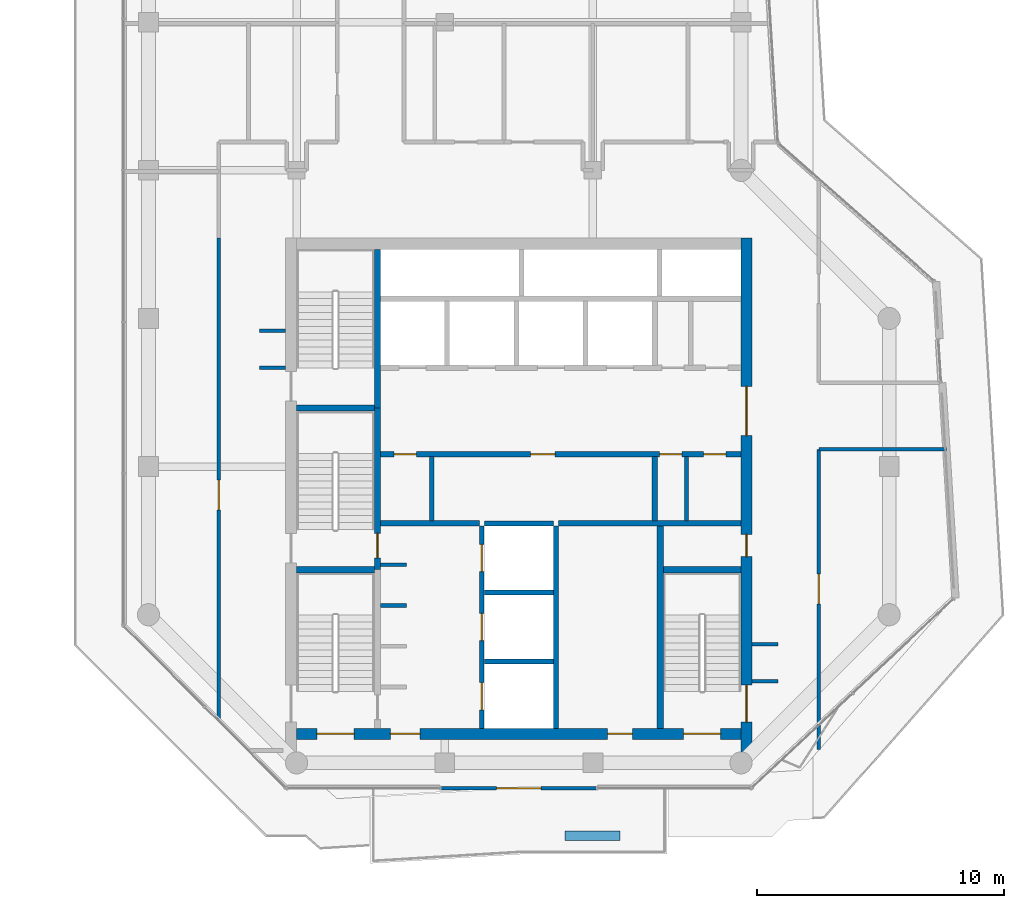
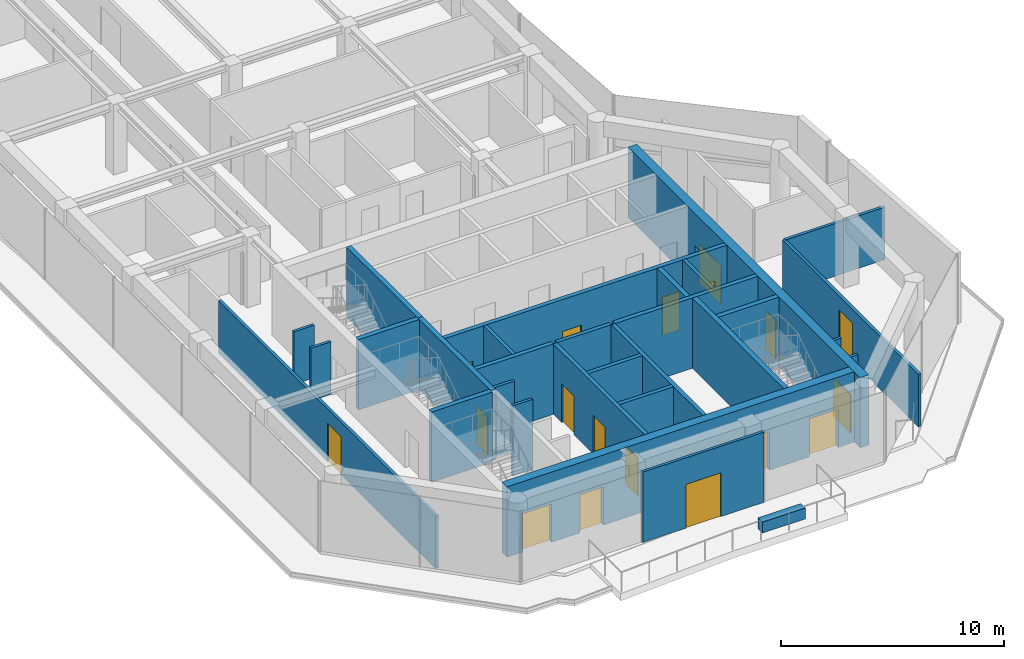
# One storey, part 17 of 21: 30 walls, 18 doors, 18 openings.
"""IFC4 building model written with IfcOpenShell, lengths in metres."""

from ifc_helpers import new_model, si_unit, direction, frame, frame_2d, origin, place, context, subcontext, project, spatial, rectangle, extrude, material, layer, layer_set, type_object, element, fill, save


model = new_model("IFC4")

# Units and contexts
model_context = context("Model", 3, precision=1e-05, world=origin(), true_north=direction((0.0, 1.0)))
body_context = subcontext(model_context, "Body", "Model", "MODEL_VIEW")
ifc_project = project(units=[si_unit("LENGTHUNIT", "METRE"), si_unit("AREAUNIT", "SQUARE_METRE"), si_unit("VOLUMEUNIT", "CUBIC_METRE"), si_unit("PLANEANGLEUNIT", "RADIAN"), si_unit("MASSUNIT", "GRAM", prefix="KILO")], contexts=[model_context])

# Site, building, storey
site_placement = place(None, origin())
site = spatial("IfcSite", under=ifc_project, at=site_placement, CompositionType="ELEMENT")
building_placement = place(site_placement, origin())
building = spatial("IfcBuilding", under=site, at=building_placement, Name="Welwitschia Terrace Campus", CompositionType="ELEMENT")
storey_placement = place(building_placement, frame((0.0, 0.0, 213.800048828125)))
storey = spatial("IfcBuildingStorey", under=building, at=storey_placement, Name="L47", CompositionType="ELEMENT", Elevation=213.800048828125)

# Wall, opening, door
ifc_material_1 = material(Name="Concrete C40/50", Category="concrete")
ifc_layer_1 = layer(ifc_material_1, 0.139892578125)
ifc_layer_set_1 = layer_set([ifc_layer_1], Name="Concrete C40/50")
wall_type_1 = type_object("IfcWallType", Name="Clad wall 140", PredefinedType="SOLIDWALL", material=ifc_layer_set_1)
wall_1_placement = place(storey_placement, frame((11.85791015625, 2.969970703125, 0.0), z_axis=(0.0, 0.0, 1.0), x_axis=(1.0, 0.0, 0.0)))
wall_1 = element("IfcWall", 1, at=wall_1_placement, inside=storey, type_object=wall_type_1, Name="Clad wall L47.terrace door 0", PredefinedType="SOLIDWALL", context=body_context, shape_type="SweptSolid", body=[
    extrude(rectangle(XDim=6.2841796875, YDim=0.139892578125, at=frame_2d((3.14208984375, 0.0))), origin(), (0.0, 0.0, 1.0), 3.849853515625),
])
opening_1_placement = place(wall_1_placement, frame((2.2421875, 0.0, 0.0)))
opening_1 = element("IfcOpeningElement", 2, at=opening_1_placement, cuts=wall_1, Name="Opening DE3", PredefinedType="OPENING", context=body_context, shape_type="SweptSolid", body=[
    extrude(rectangle(XDim=1.800048828125, YDim=2.39990234375, at=frame_2d((0.89990234375, 1.199951171875))), frame((0.0, 0.079833984375, 0.0), z_axis=(0.0, -1.0, 0.0), x_axis=(1.0, 0.0, 0.0)), (0.0, 0.0, 1.0), 0.159912109375),
])
ifc_material_2 = material(Name="Bronze anodised aluminium and glass", Category="aluminium")
door_type_1 = type_object("IfcDoorType", Name="Terrace door 1800x2400", OperationType="DOUBLE_DOOR_DOUBLE_SWING", PredefinedType="DOOR", material=ifc_material_2)
door_1_placement = place(opening_1_placement, origin())
door_1 = element("IfcDoor", 3, at=door_1_placement, inside=storey, type_object=door_type_1, Name="Door L47:T0", OperationType="DOUBLE_DOOR_DOUBLE_SWING", OverallHeight=2.39990234375, OverallWidth=1.800048828125, PredefinedType="DOOR", context=body_context, shape_type="SweptSolid", body=[
    extrude(rectangle(XDim=1.800048828125, YDim=2.39990234375, at=frame_2d((0.89990234375, 1.199951171875))), frame((0.0, 0.02490234375, 0.0), z_axis=(0.0, -1.0, 0.0), x_axis=(1.0, 0.0, 0.0)), (0.0, 0.0, 1.0), 0.050048828125),
])
fill(opening_1, door_1)

# Walls
ifc_material_3 = material(Name="Concrete C32/40", Category="concrete")
ifc_layer_2 = layer(ifc_material_3, 0.175048828125)
ifc_layer_set_2 = layer_set([ifc_layer_2], Name="Concrete C32/40")
wall_type_2 = type_object("IfcWallType", Name="Core partition 175 Concrete C32/40", PredefinedType="PARTITIONING", material=ifc_layer_set_2)
for number, where, z_axis, x_axis, name in (
    (4, (11.47509765625, 13.800048828125, 0.0), (0.0, 0.0, 1.0), (0.0, 1.0, 0.0), "Core partition"),
    (5, (21.7900390625, 13.800048828125, 0.0), (0.0, 0.0, 1.0), (0.0, 1.0, 0.0), "Core partition"),
):
    element("IfcWall", number, at=place(storey_placement, frame(where, z_axis=z_axis, x_axis=x_axis)), inside=storey, type_object=wall_type_2, Name=name, PredefinedType="PARTITIONING", context=body_context, shape_type="SweptSolid", body=[
        extrude(rectangle(XDim=2.599853515625, YDim=0.175048828125, at=frame_2d((1.2998046875, 0.0))), origin(), (0.0, 0.0, 1.0), 3.849853515625),
    ])
ifc_material_4 = material(Name="Concrete C32/40", Category="concrete")
ifc_layer_3 = layer(ifc_material_4, 0.22509765625)
ifc_layer_set_3 = layer_set([ifc_layer_3], Name="Concrete C32/40")
wall_type_3 = type_object("IfcWallType", Name="Core partition 225 Concrete C32/40", PredefinedType="PARTITIONING", material=ifc_layer_set_3)
wall_2_placement = place(storey_placement, frame((9.39990234375, 13.699951171875, 0.0), z_axis=(0.0, 0.0, 1.0), x_axis=(1.0, 0.0, 0.0)))
element("IfcWall", 6, at=wall_2_placement, inside=storey, type_object=wall_type_3, Name="Core partition", PredefinedType="PARTITIONING", context=body_context, shape_type="SweptSolid", body=[
    extrude(rectangle(XDim=4.0, YDim=0.22509765625, at=frame_2d((2.0, 0.0))), origin(), (0.0, 0.0, 1.0), 3.849853515625),
])
wall_3_placement = place(storey_placement, frame((16.60009765625, 13.699951171875, 0.0), z_axis=(0.0, 0.0, 1.0), x_axis=(1.0, 0.0, 0.0)))
element("IfcWall", 7, at=wall_3_placement, inside=storey, type_object=wall_type_3, Name="Core partition", PredefinedType="PARTITIONING", context=body_context, shape_type="SweptSolid", body=[
    extrude(rectangle(XDim=7.39990234375, YDim=0.22509765625, at=frame_2d((3.699951171875, 0.0))), origin(), (0.0, 0.0, 1.0), 3.849853515625),
])

# Wall, openings, doors
wall_4_placement = place(storey_placement, frame((9.39990234375, 16.5, 0.0), z_axis=(0.0, 0.0, 1.0), x_axis=(1.0, 0.0, 0.0)))
wall_4 = element("IfcWall", 8, at=wall_4_placement, inside=storey, type_object=wall_type_3, Name="Core partition", PredefinedType="PARTITIONING", context=body_context, shape_type="SweptSolid", body=[
    extrude(rectangle(XDim=14.60009765625, YDim=0.22509765625, at=frame_2d((7.300048828125, 0.0))), origin(), (0.0, 0.0, 1.0), 3.849853515625),
])
opening_2_placement = place(wall_4_placement, frame((0.550048828125, 0.0, 0.0)))
opening_2 = element("IfcOpeningElement", 9, at=opening_2_placement, cuts=wall_4, Name="Opening DR09", PredefinedType="OPENING", context=body_context, shape_type="SweptSolid", body=[
    extrude(rectangle(XDim=0.89990234375, YDim=2.10009765625, at=frame_2d((0.449951171875, 1.050048828125))), frame((0.0, 0.12255859375, 0.0), z_axis=(0.0, -1.0, 0.0), x_axis=(1.0, 0.0, 0.0)), (0.0, 0.0, 1.0), 0.2451171875),
])
opening_3_placement = place(wall_4_placement, frame((6.074951171875, 0.0, 0.0)))
opening_3 = element("IfcOpeningElement", 10, at=opening_3_placement, cuts=wall_4, Name="Opening DR10", PredefinedType="OPENING", context=body_context, shape_type="SweptSolid", body=[
    extrude(rectangle(XDim=1.0, YDim=2.10009765625, at=frame_2d((0.5, 1.050048828125))), frame((0.0, 0.12255859375, 0.0), z_axis=(0.0, -1.0, 0.0), x_axis=(1.0, 0.0, 0.0)), (0.0, 0.0, 1.0), 0.2451171875),
])
opening_4_placement = place(wall_4_placement, frame((11.3076171875, 0.0, 0.0)))
opening_4 = element("IfcOpeningElement", 11, at=opening_4_placement, cuts=wall_4, Name="Opening DR09", PredefinedType="OPENING", context=body_context, shape_type="SweptSolid", body=[
    extrude(rectangle(XDim=0.89990234375, YDim=2.10009765625, at=frame_2d((0.449951171875, 1.050048828125))), frame((0.0, 0.12255859375, 0.0), z_axis=(0.0, -1.0, 0.0), x_axis=(1.0, 0.0, 0.0)), (0.0, 0.0, 1.0), 0.2451171875),
])
opening_5_placement = place(wall_4_placement, frame((13.08251953125, 0.0, 0.0)))
opening_5 = element("IfcOpeningElement", 12, at=opening_5_placement, cuts=wall_4, Name="Opening DR09", PredefinedType="OPENING", context=body_context, shape_type="SweptSolid", body=[
    extrude(rectangle(XDim=0.89990234375, YDim=2.10009765625, at=frame_2d((0.449951171875, 1.050048828125))), frame((0.0, 0.12255859375, 0.0), z_axis=(0.0, -1.0, 0.0), x_axis=(1.0, 0.0, 0.0)), (0.0, 0.0, 1.0), 0.2451171875),
])
ifc_material_5 = material(Name="Steel S275", Category="steel")
door_type_2 = type_object("IfcDoorType", Name="Core door DR09", OperationType="SINGLE_SWING_LEFT", PredefinedType="DOOR", material=ifc_material_5)
door_2_placement = place(opening_2_placement, origin())
door_2 = element("IfcDoor", 13, at=door_2_placement, inside=storey, type_object=door_type_2, Name="Door BAYL1-D", OperationType="SINGLE_SWING_LEFT", OverallHeight=2.10009765625, OverallWidth=0.89990234375, PredefinedType="DOOR", context=body_context, shape_type="SweptSolid", body=[
    extrude(rectangle(XDim=0.89990234375, YDim=2.10009765625, at=frame_2d((0.449951171875, 1.050048828125))), frame((0.0, 0.02490234375, 0.0), z_axis=(0.0, -1.0, 0.0), x_axis=(1.0, 0.0, 0.0)), (0.0, 0.0, 1.0), 0.050048828125),
])
fill(opening_2, door_2)
door_3_placement = place(opening_4_placement, origin())
door_3 = element("IfcDoor", 14, at=door_3_placement, inside=storey, type_object=door_type_2, Name="Door EL1-D", OperationType="SINGLE_SWING_RIGHT", OverallHeight=2.10009765625, OverallWidth=0.89990234375, PredefinedType="DOOR", context=body_context, shape_type="SweptSolid", body=[
    extrude(rectangle(XDim=0.89990234375, YDim=2.10009765625, at=frame_2d((0.449951171875, 1.050048828125))), frame((0.0, 0.02490234375, 0.0), z_axis=(0.0, -1.0, 0.0), x_axis=(1.0, 0.0, 0.0)), (0.0, 0.0, 1.0), 0.050048828125),
])
fill(opening_4, door_3)
door_4_placement = place(opening_5_placement, origin())
door_4 = element("IfcDoor", 15, at=door_4_placement, inside=storey, type_object=door_type_2, Name="Door EL2-D", OperationType="SINGLE_SWING_RIGHT", OverallHeight=2.10009765625, OverallWidth=0.89990234375, PredefinedType="DOOR", context=body_context, shape_type="SweptSolid", body=[
    extrude(rectangle(XDim=0.89990234375, YDim=2.10009765625, at=frame_2d((0.449951171875, 1.050048828125))), frame((0.0, 0.02490234375, 0.0), z_axis=(0.0, -1.0, 0.0), x_axis=(1.0, 0.0, 0.0)), (0.0, 0.0, 1.0), 0.050048828125),
])
fill(opening_5, door_4)
ifc_material_6 = material(Name="Steel S275", Category="steel")
door_type_3 = type_object("IfcDoorType", Name="Core door DR10", OperationType="SINGLE_SWING_LEFT", PredefinedType="DOOR", material=ifc_material_6)
door_5_placement = place(opening_3_placement, origin())
door_5 = element("IfcDoor", 16, at=door_5_placement, inside=storey, type_object=door_type_3, Name="Door BAYL2-D", OperationType="SINGLE_SWING_LEFT", OverallHeight=2.10009765625, OverallWidth=1.0, PredefinedType="DOOR", context=body_context, shape_type="SweptSolid", body=[
    extrude(rectangle(XDim=1.0, YDim=2.10009765625, at=frame_2d((0.5, 1.050048828125))), frame((0.0, 0.02490234375, 0.0), z_axis=(0.0, -1.0, 0.0), x_axis=(1.0, 0.0, 0.0)), (0.0, 0.0, 1.0), 0.050048828125),
])
fill(opening_3, door_5)

# Walls
wall_5_placement = place(storey_placement, frame((20.5, 13.800048828125, 0.0), z_axis=(0.0, 0.0, 1.0), x_axis=(0.0, 1.0, 0.0)))
element("IfcWall", 17, at=wall_5_placement, inside=storey, type_object=wall_type_3, Name="Core partition", PredefinedType="PARTITIONING", context=body_context, shape_type="SweptSolid", body=[
    extrude(rectangle(XDim=2.599853515625, YDim=0.22509765625, at=frame_2d((1.2998046875, 0.0))), origin(), (0.0, 0.0, 1.0), 3.849853515625),
])
ifc_material_7 = material(Name="Concrete C50/60", Category="concrete")
ifc_layer_4 = layer(ifc_material_7, 0.14990234375)
ifc_layer_set_4 = layer_set([ifc_layer_4], Name="Concrete C50/60")
wall_type_4 = type_object("IfcWallType", Name="Core wall 150 Concrete C50/60", PredefinedType="SHEAR", material=ifc_layer_set_4)
for number, where, z_axis, x_axis, name in (
    (18, (9.39990234375, 10.375, 0.0), (0.0, 0.0, 1.0), (1.0, 0.0, 0.0), "Core wall"),
    (19, (9.39990234375, 12.02490234375, 0.0), (0.0, 0.0, 1.0), (1.0, 0.0, 0.0), "Core wall"),
):
    element("IfcWall", number, at=place(storey_placement, frame(where, z_axis=z_axis, x_axis=x_axis)), inside=storey, type_object=wall_type_4, Name=name, PredefinedType="SHEAR", context=body_context, shape_type="SweptSolid", body=[
        extrude(rectangle(XDim=1.050048828125, YDim=0.14990234375, at=frame_2d((0.52490234375, 0.0))), origin(), (0.0, 0.0, 1.0), 3.849853515625),
    ])
ifc_material_8 = material(Name="Concrete C50/60", Category="concrete")
ifc_layer_5 = layer(ifc_material_8, 0.199951171875)
ifc_layer_set_5 = layer_set([ifc_layer_5], Name="Concrete C50/60")
wall_type_5 = type_object("IfcWallType", Name="Core wall 200 Concrete C50/60", PredefinedType="SHEAR", material=ifc_layer_set_5)
for number, where, z_axis, x_axis, name in (
    (20, (13.60009765625, 8.10009765625, 0.0), (0.0, 0.0, 1.0), (1.0, 0.0, 0.0), "Core wall"),
    (21, (13.60009765625, 10.89990234375, 0.0), (0.0, 0.0, 1.0), (1.0, 0.0, 0.0), "Core wall"),
    (22, (13.60009765625, 13.699951171875, 0.0), (0.0, 0.0, 1.0), (1.0, 0.0, 0.0), "Core wall"),
):
    element("IfcWall", number, at=place(storey_placement, frame(where, z_axis=z_axis, x_axis=x_axis)), inside=storey, type_object=wall_type_5, Name=name, PredefinedType="SHEAR", context=body_context, shape_type="SweptSolid", body=[
        extrude(rectangle(XDim=2.7998046875, YDim=0.199951171875, at=frame_2d((1.39990234375, 0.0))), origin(), (0.0, 0.0, 1.0), 3.849853515625),
    ])

# Wall, openings, doors
wall_6_placement = place(storey_placement, frame((13.5, 5.39990234375, 0.0), z_axis=(0.0, 0.0, 1.0), x_axis=(0.0, 1.0, 0.0)))
wall_6 = element("IfcWall", 23, at=wall_6_placement, inside=storey, type_object=wall_type_5, Name="Core wall", PredefinedType="SHEAR", context=body_context, shape_type="SweptSolid", body=[
    extrude(rectangle(XDim=8.2001953125, YDim=0.199951171875, at=frame_2d((4.10009765625, 0.0))), origin(), (0.0, 0.0, 1.0), 3.849853515625),
])
opening_6_placement = place(wall_6_placement, frame((0.75, 0.0, 0.0)))
opening_6 = element("IfcOpeningElement", 24, at=opening_6_placement, cuts=wall_6, Name="Opening LD", PredefinedType="OPENING", context=body_context, shape_type="SweptSolid", body=[
    extrude(rectangle(XDim=1.10009765625, YDim=2.10009765625, at=frame_2d((0.550048828125, 1.050048828125))), frame((0.0, 0.10986328125, 0.0), z_axis=(0.0, -1.0, 0.0), x_axis=(1.0, 0.0, 0.0)), (0.0, 0.0, 1.0), 0.219970703125),
])
opening_7_placement = place(wall_6_placement, frame((3.550048828125, 0.0, 0.0)))
opening_7 = element("IfcOpeningElement", 25, at=opening_7_placement, cuts=wall_6, Name="Opening LD", PredefinedType="OPENING", context=body_context, shape_type="SweptSolid", body=[
    extrude(rectangle(XDim=1.10009765625, YDim=2.10009765625, at=frame_2d((0.550048828125, 1.050048828125))), frame((0.0, 0.10986328125, 0.0), z_axis=(0.0, -1.0, 0.0), x_axis=(1.0, 0.0, 0.0)), (0.0, 0.0, 1.0), 0.219970703125),
])
opening_8_placement = place(wall_6_placement, frame((6.35009765625, 0.0, 0.0)))
opening_8 = element("IfcOpeningElement", 26, at=opening_8_placement, cuts=wall_6, Name="Opening LD", PredefinedType="OPENING", context=body_context, shape_type="SweptSolid", body=[
    extrude(rectangle(XDim=1.10009765625, YDim=2.10009765625, at=frame_2d((0.550048828125, 1.050048828125))), frame((0.0, 0.10986328125, 0.0), z_axis=(0.0, -1.0, 0.0), x_axis=(1.0, 0.0, 0.0)), (0.0, 0.0, 1.0), 0.219970703125),
])
ifc_material_9 = material(Name="Stainless steel 304", Category="steel")
door_type_4 = type_object("IfcDoorType", Name="Lift landing door", OperationType="DOUBLE_DOOR_SLIDING", PredefinedType="DOOR", material=ifc_material_9)
door_6_placement = place(opening_6_placement, origin())
door_6 = element("IfcDoor", 27, at=door_6_placement, inside=storey, type_object=door_type_4, Name="Landing door FF1", OperationType="DOUBLE_DOOR_SLIDING", OverallHeight=2.10009765625, OverallWidth=1.10009765625, PredefinedType="DOOR", context=body_context, shape_type="SweptSolid", body=[
    extrude(rectangle(XDim=1.10009765625, YDim=2.10009765625, at=frame_2d((0.550048828125, 1.050048828125))), frame((0.0, 0.02490234375, 0.0), z_axis=(0.0, -1.0, 0.0), x_axis=(1.0, 0.0, 0.0)), (0.0, 0.0, 1.0), 0.050048828125),
])
fill(opening_6, door_6)
door_7_placement = place(opening_7_placement, origin())
door_7 = element("IfcDoor", 28, at=door_7_placement, inside=storey, type_object=door_type_4, Name="Landing door FF2", OperationType="DOUBLE_DOOR_SLIDING", OverallHeight=2.10009765625, OverallWidth=1.10009765625, PredefinedType="DOOR", context=body_context, shape_type="SweptSolid", body=[
    extrude(rectangle(XDim=1.10009765625, YDim=2.10009765625, at=frame_2d((0.550048828125, 1.050048828125))), frame((0.0, 0.02490234375, 0.0), z_axis=(0.0, -1.0, 0.0), x_axis=(1.0, 0.0, 0.0)), (0.0, 0.0, 1.0), 0.050048828125),
])
fill(opening_7, door_7)
door_8_placement = place(opening_8_placement, origin())
door_8 = element("IfcDoor", 29, at=door_8_placement, inside=storey, type_object=door_type_4, Name="Landing door SV1", OperationType="DOUBLE_DOOR_SLIDING", OverallHeight=2.10009765625, OverallWidth=1.10009765625, PredefinedType="DOOR", context=body_context, shape_type="SweptSolid", body=[
    extrude(rectangle(XDim=1.10009765625, YDim=2.10009765625, at=frame_2d((0.550048828125, 1.050048828125))), frame((0.0, 0.02490234375, 0.0), z_axis=(0.0, -1.0, 0.0), x_axis=(1.0, 0.0, 0.0)), (0.0, 0.0, 1.0), 0.050048828125),
])
fill(opening_8, door_8)

# Walls
wall_7_placement = place(storey_placement, frame((16.5, 5.39990234375, 0.0), z_axis=(0.0, 0.0, 1.0), x_axis=(0.0, 1.0, 0.0)))
element("IfcWall", 30, at=wall_7_placement, inside=storey, type_object=wall_type_5, Name="Core wall", PredefinedType="SHEAR", context=body_context, shape_type="SweptSolid", body=[
    extrude(rectangle(XDim=8.2001953125, YDim=0.199951171875, at=frame_2d((4.10009765625, 0.0))), origin(), (0.0, 0.0, 1.0), 3.849853515625),
])
ifc_material_10 = material(Name="Concrete C50/60", Category="concrete")
ifc_layer_6 = layer(ifc_material_10, 0.25)
ifc_layer_set_6 = layer_set([ifc_layer_6], Name="Concrete C50/60")
wall_type_6 = type_object("IfcWallType", Name="Core wall 250 Concrete C50/60", PredefinedType="SHEAR", material=ifc_layer_set_6)
for number, where, z_axis, x_axis, name in (
    (31, (6.0, 11.824951171875, 0.0), (0.0, 0.0, 1.0), (1.0, 0.0, 0.0), "Core wall"),
    (32, (20.85009765625, 11.824951171875, 0.0), (0.0, 0.0, 1.0), (1.0, 0.0, 0.0), "Core wall"),
    (33, (6.0, 18.375, 0.0), (0.0, 0.0, 1.0), (1.0, 0.0, 0.0), "Core wall"),
):
    element("IfcWall", number, at=place(storey_placement, frame(where, z_axis=z_axis, x_axis=x_axis)), inside=storey, type_object=wall_type_6, Name=name, PredefinedType="SHEAR", context=body_context, shape_type="SweptSolid", body=[
        extrude(rectangle(XDim=3.14990234375, YDim=0.25, at=frame_2d((1.574951171875, 0.0))), origin(), (0.0, 0.0, 1.0), 3.849853515625),
    ])

# Wall, opening, door
wall_8_placement = place(storey_placement, frame((9.27490234375, 18.375, 0.0), z_axis=(0.0, 0.0, 1.0), x_axis=(0.0, -1.0, 0.0)))
wall_8 = element("IfcWall", 34, at=wall_8_placement, inside=storey, type_object=wall_type_6, Name="Core wall", PredefinedType="SHEAR", context=body_context, shape_type="SweptSolid", body=[
    extrude(rectangle(XDim=6.550048828125, YDim=0.25, at=frame_2d((3.27490234375, 0.0))), origin(), (0.0, 0.0, 1.0), 3.849853515625),
])
opening_9_placement = place(wall_8_placement, frame((5.074951171875, 0.0, 0.0)))
opening_9 = element("IfcOpeningElement", 35, at=opening_9_placement, cuts=wall_8, Name="Opening DS10", PredefinedType="OPENING", context=body_context, shape_type="SweptSolid", body=[
    extrude(rectangle(XDim=1.0, YDim=2.10009765625, at=frame_2d((0.5, 1.050048828125))), frame((0.0, 0.135009765625, 0.0), z_axis=(0.0, -1.0, 0.0), x_axis=(1.0, 0.0, 0.0)), (0.0, 0.0, 1.0), 0.27001953125),
])
ifc_material_11 = material(Name="Steel S275", Category="steel")
door_type_5 = type_object("IfcDoorType", Name="Core door DS10", OperationType="SINGLE_SWING_LEFT", PredefinedType="DOOR", material=ifc_material_11)
door_9_placement = place(opening_9_placement, origin())
door_9 = element("IfcDoor", 36, at=door_9_placement, inside=storey, type_object=door_type_5, Name="Door S3-FL", OperationType="SINGLE_SWING_RIGHT", OverallHeight=2.10009765625, OverallWidth=1.0, PredefinedType="DOOR", context=body_context, shape_type="SweptSolid", body=[
    extrude(rectangle(XDim=1.0, YDim=2.10009765625, at=frame_2d((0.5, 1.050048828125))), frame((0.0, 0.02490234375, 0.0), z_axis=(0.0, -1.0, 0.0), x_axis=(1.0, 0.0, 0.0)), (0.0, 0.0, 1.0), 0.050048828125),
])
fill(opening_9, door_9)

# Walls
wall_9_placement = place(storey_placement, frame((9.27490234375, 18.375, 0.0), z_axis=(0.0, 0.0, 1.0), x_axis=(0.0, 1.0, 0.0)))
element("IfcWall", 37, at=wall_9_placement, inside=storey, type_object=wall_type_6, Name="Core wall", PredefinedType="SHEAR", context=body_context, shape_type="SweptSolid", body=[
    extrude(rectangle(XDim=6.425048828125, YDim=0.25, at=frame_2d((3.21240234375, 0.0))), origin(), (0.0, 0.0, 1.0), 3.849853515625),
])
wall_10_placement = place(storey_placement, frame((20.72509765625, 5.39990234375, 0.0), z_axis=(0.0, 0.0, 1.0), x_axis=(0.0, 1.0, 0.0)))
element("IfcWall", 38, at=wall_10_placement, inside=storey, type_object=wall_type_6, Name="Core wall", PredefinedType="SHEAR", context=body_context, shape_type="SweptSolid", body=[
    extrude(rectangle(XDim=8.2001953125, YDim=0.25, at=frame_2d((4.10009765625, 0.0))), origin(), (0.0, 0.0, 1.0), 3.849853515625),
])

# Wall, openings, doors
ifc_material_12 = material(Name="Concrete C60/75", Category="concrete")
ifc_layer_7 = layer(ifc_material_12, 0.449951171875)
ifc_layer_set_7 = layer_set([ifc_layer_7], Name="Concrete C60/75")
wall_type_7 = type_object("IfcWallType", Name="Core wall 450 Concrete C60/75", PredefinedType="SHEAR", material=ifc_layer_set_7)
wall_11_placement = place(storey_placement, frame((24.22509765625, 25.25, 0.0), z_axis=(0.0, 0.0, 1.0), x_axis=(0.0, -1.0, 0.0)))
wall_11 = element("IfcWall", 39, at=wall_11_placement, inside=storey, type_object=wall_type_7, Name="Core outer wall", PredefinedType="SHEAR", context=body_context, shape_type="SweptSolid", body=[
    extrude(rectangle(XDim=20.830078125, YDim=0.449951171875, at=frame_2d((10.4150390625, 0.0))), origin(), (0.0, 0.0, 1.0), 3.849853515625),
])
opening_10_placement = place(wall_11_placement, frame((18.10009765625, 0.0, 0.0)))
opening_10 = element("IfcOpeningElement", 40, at=opening_10_placement, cuts=wall_11, Name="Opening DS15", PredefinedType="OPENING", context=body_context, shape_type="SweptSolid", body=[
    extrude(rectangle(XDim=1.5, YDim=2.10009765625, at=frame_2d((0.75, 1.050048828125))), frame((0.0, 0.23486328125, 0.0), z_axis=(0.0, -1.0, 0.0), x_axis=(1.0, 0.0, 0.0)), (0.0, 0.0, 1.0), 0.469970703125),
])
opening_11_placement = place(wall_11_placement, frame((12.0, 0.0, 0.0)))
opening_11 = element("IfcOpeningElement", 41, at=opening_11_placement, cuts=wall_11, Name="Opening DR09", PredefinedType="OPENING", context=body_context, shape_type="SweptSolid", body=[
    extrude(rectangle(XDim=0.89990234375, YDim=2.10009765625, at=frame_2d((0.449951171875, 1.050048828125))), frame((0.0, 0.23486328125, 0.0), z_axis=(0.0, -1.0, 0.0), x_axis=(1.0, 0.0, 0.0)), (0.0, 0.0, 1.0), 0.469970703125),
])
opening_12_placement = place(wall_11_placement, frame((6.0, 0.0, 0.0)))
opening_12 = element("IfcOpeningElement", 42, at=opening_12_placement, cuts=wall_11, Name="Opening DL20", PredefinedType="OPENING", context=body_context, shape_type="SweptSolid", body=[
    extrude(rectangle(XDim=2.0, YDim=2.10009765625, at=frame_2d((1.0, 1.050048828125))), frame((0.0, 0.23486328125, 0.0), z_axis=(0.0, -1.0, 0.0), x_axis=(1.0, 0.0, 0.0)), (0.0, 0.0, 1.0), 0.469970703125),
])
ifc_material_13 = material(Name="Steel S275", Category="steel")
door_type_6 = type_object("IfcDoorType", Name="Core door DL20", OperationType="DOUBLE_DOOR_SINGLE_SWING", PredefinedType="DOOR", material=ifc_material_13)
door_10_placement = place(opening_12_placement, origin())
door_10 = element("IfcDoor", 43, at=door_10_placement, inside=storey, type_object=door_type_6, Name="Door LOBBY-out", OperationType="DOUBLE_DOOR_SINGLE_SWING", OverallHeight=2.10009765625, OverallWidth=2.0, PredefinedType="DOOR", context=body_context, shape_type="SweptSolid", body=[
    extrude(rectangle(XDim=2.0, YDim=2.10009765625, at=frame_2d((1.0, 1.050048828125))), frame((0.0, 0.02490234375, 0.0), z_axis=(0.0, -1.0, 0.0), x_axis=(1.0, 0.0, 0.0)), (0.0, 0.0, 1.0), 0.050048828125),
])
fill(opening_12, door_10)
door_11_placement = place(opening_11_placement, origin())
door_11 = element("IfcDoor", 44, at=door_11_placement, inside=storey, type_object=door_type_2, Name="Door F1B-out", OperationType="SINGLE_SWING_RIGHT", OverallHeight=2.10009765625, OverallWidth=0.89990234375, PredefinedType="DOOR", context=body_context, shape_type="SweptSolid", body=[
    extrude(rectangle(XDim=0.89990234375, YDim=2.10009765625, at=frame_2d((0.449951171875, 1.050048828125))), frame((0.0, 0.02490234375, 0.0), z_axis=(0.0, -1.0, 0.0), x_axis=(1.0, 0.0, 0.0)), (0.0, 0.0, 1.0), 0.050048828125),
])
fill(opening_11, door_11)
ifc_material_14 = material(Name="Steel S275", Category="steel")
door_type_7 = type_object("IfcDoorType", Name="Core door DS15", OperationType="DOUBLE_DOOR_SINGLE_SWING", PredefinedType="DOOR", material=ifc_material_14)
door_12_placement = place(opening_10_placement, origin())
door_12 = element("IfcDoor", 45, at=door_12_placement, inside=storey, type_object=door_type_7, Name="Door S2-out", OperationType="DOUBLE_DOOR_SINGLE_SWING", OverallHeight=2.10009765625, OverallWidth=1.5, PredefinedType="DOOR", context=body_context, shape_type="SweptSolid", body=[
    extrude(rectangle(XDim=1.5, YDim=2.10009765625, at=frame_2d((0.75, 1.050048828125))), frame((0.0, 0.02490234375, 0.0), z_axis=(0.0, -1.0, 0.0), x_axis=(1.0, 0.0, 0.0)), (0.0, 0.0, 1.0), 0.050048828125),
])
fill(opening_10, door_12)

wall_12_placement = place(storey_placement, frame((24.0, 5.175048828125, 0.0), z_axis=(0.0, 0.0, 1.0), x_axis=(-1.0, 0.0, 0.0)))
wall_12 = element("IfcWall", 46, at=wall_12_placement, inside=storey, type_object=wall_type_7, Name="Core outer wall", PredefinedType="SHEAR", context=body_context, shape_type="SweptSolid", body=[
    extrude(rectangle(XDim=18.0, YDim=0.449951171875, at=frame_2d((9.0, 0.0))), origin(), (0.0, 0.0, 1.0), 3.849853515625),
])
opening_13_placement = place(wall_12_placement, frame((0.824951171875, 0.0, 0.0)))
opening_13 = element("IfcOpeningElement", 47, at=opening_13_placement, cuts=wall_12, Name="Opening DS15", PredefinedType="OPENING", context=body_context, shape_type="SweptSolid", body=[
    extrude(rectangle(XDim=1.5, YDim=2.10009765625, at=frame_2d((0.75, 1.050048828125))), frame((0.0, 0.23486328125, 0.0), z_axis=(0.0, -1.0, 0.0), x_axis=(1.0, 0.0, 0.0)), (0.0, 0.0, 1.0), 0.469970703125),
])
opening_14_placement = place(wall_12_placement, frame((15.675048828125, 0.0, 0.0)))
opening_14 = element("IfcOpeningElement", 48, at=opening_14_placement, cuts=wall_12, Name="Opening DS15", PredefinedType="OPENING", context=body_context, shape_type="SweptSolid", body=[
    extrude(rectangle(XDim=1.5, YDim=2.10009765625, at=frame_2d((0.75, 1.050048828125))), frame((0.0, 0.23486328125, 0.0), z_axis=(0.0, -1.0, 0.0), x_axis=(1.0, 0.0, 0.0)), (0.0, 0.0, 1.0), 0.469970703125),
])
opening_15_placement = place(wall_12_placement, frame((13.0, 0.0, 0.0)))
opening_15 = element("IfcOpeningElement", 49, at=opening_15_placement, cuts=wall_12, Name="Opening DF12", PredefinedType="OPENING", context=body_context, shape_type="SweptSolid", body=[
    extrude(rectangle(XDim=1.199951171875, YDim=2.10009765625, at=frame_2d((0.60009765625, 1.050048828125))), frame((0.0, 0.23486328125, 0.0), z_axis=(0.0, -1.0, 0.0), x_axis=(1.0, 0.0, 0.0)), (0.0, 0.0, 1.0), 0.469970703125),
])
opening_16_placement = place(wall_12_placement, frame((4.39990234375, 0.0, 0.0)))
opening_16 = element("IfcOpeningElement", 50, at=opening_16_placement, cuts=wall_12, Name="Opening DR10", PredefinedType="OPENING", context=body_context, shape_type="SweptSolid", body=[
    extrude(rectangle(XDim=1.0, YDim=2.10009765625, at=frame_2d((0.5, 1.050048828125))), frame((0.0, 0.23486328125, 0.0), z_axis=(0.0, -1.0, 0.0), x_axis=(1.0, 0.0, 0.0)), (0.0, 0.0, 1.0), 0.469970703125),
])
ifc_material_15 = material(Name="Steel S275", Category="steel")
door_type_8 = type_object("IfcDoorType", Name="Core door DF12", OperationType="SINGLE_SWING_LEFT", PredefinedType="DOOR", material=ifc_material_15)
door_13_placement = place(opening_15_placement, origin())
door_13 = element("IfcDoor", 51, at=door_13_placement, inside=storey, type_object=door_type_8, Name="Door FL-out", OperationType="SINGLE_SWING_RIGHT", OverallHeight=2.10009765625, OverallWidth=1.199951171875, PredefinedType="DOOR", context=body_context, shape_type="SweptSolid", body=[
    extrude(rectangle(XDim=1.199951171875, YDim=2.10009765625, at=frame_2d((0.60009765625, 1.050048828125))), frame((0.0, 0.02490234375, 0.0), z_axis=(0.0, -1.0, 0.0), x_axis=(1.0, 0.0, 0.0)), (0.0, 0.0, 1.0), 0.050048828125),
])
fill(opening_15, door_13)
door_14_placement = place(opening_16_placement, origin())
door_14 = element("IfcDoor", 52, at=door_14_placement, inside=storey, type_object=door_type_3, Name="Door F1-out", OperationType="SINGLE_SWING_LEFT", OverallHeight=2.10009765625, OverallWidth=1.0, PredefinedType="DOOR", context=body_context, shape_type="SweptSolid", body=[
    extrude(rectangle(XDim=1.0, YDim=2.10009765625, at=frame_2d((0.5, 1.050048828125))), frame((0.0, 0.02490234375, 0.0), z_axis=(0.0, -1.0, 0.0), x_axis=(1.0, 0.0, 0.0)), (0.0, 0.0, 1.0), 0.050048828125),
])
fill(opening_16, door_14)
door_15_placement = place(opening_13_placement, origin())
door_15 = element("IfcDoor", 53, at=door_15_placement, inside=storey, type_object=door_type_7, Name="Door S2-outS", OperationType="DOUBLE_DOOR_SINGLE_SWING", OverallHeight=2.10009765625, OverallWidth=1.5, PredefinedType="DOOR", context=body_context, shape_type="SweptSolid", body=[
    extrude(rectangle(XDim=1.5, YDim=2.10009765625, at=frame_2d((0.75, 1.050048828125))), frame((0.0, 0.02490234375, 0.0), z_axis=(0.0, -1.0, 0.0), x_axis=(1.0, 0.0, 0.0)), (0.0, 0.0, 1.0), 0.050048828125),
])
fill(opening_13, door_15)
door_16_placement = place(opening_14_placement, origin())
door_16 = element("IfcDoor", 54, at=door_16_placement, inside=storey, type_object=door_type_7, Name="Door S1-outS", OperationType="DOUBLE_DOOR_SINGLE_SWING", OverallHeight=2.10009765625, OverallWidth=1.5, PredefinedType="DOOR", context=body_context, shape_type="SweptSolid", body=[
    extrude(rectangle(XDim=1.5, YDim=2.10009765625, at=frame_2d((0.75, 1.050048828125))), frame((0.0, 0.02490234375, 0.0), z_axis=(0.0, -1.0, 0.0), x_axis=(1.0, 0.0, 0.0)), (0.0, 0.0, 1.0), 0.050048828125),
])
fill(opening_14, door_16)

# Wall, opening, door
ifc_material_16 = material(Name="Gypsum board on steel studs", Category="steel")
ifc_layer_8 = layer(ifc_material_16, 0.14990234375)
ifc_layer_set_8 = layer_set([ifc_layer_8], Name="Gypsum board on steel studs")
wall_type_8 = type_object("IfcWallType", Name="Corridor partition 150 EI 30", PredefinedType="PARTITIONING", material=ifc_layer_set_8)
wall_13_placement = place(storey_placement, frame((2.85009765625, 5.77001953125, 0.0), z_axis=(0.0, 0.0, 1.0), x_axis=(0.0, 1.0, 0.0)))
wall_13 = element("IfcWall", 55, at=wall_13_placement, inside=storey, type_object=wall_type_8, Name="Partition", PredefinedType="PARTITIONING", context=body_context, shape_type="SweptSolid", body=[
    extrude(rectangle(XDim=19.47998046875, YDim=0.14990234375, at=frame_2d((9.739990234375, 0.0))), origin(), (0.0, 0.0, 1.0), 2.8798828125),
])
opening_17_placement = place(wall_13_placement, frame((8.47998046875, 0.0, 0.0)))
opening_17 = element("IfcOpeningElement", 56, at=opening_17_placement, cuts=wall_13, Name="Opening DI12", PredefinedType="OPENING", context=body_context, shape_type="SweptSolid", body=[
    extrude(rectangle(XDim=1.199951171875, YDim=2.10009765625, at=frame_2d((0.60009765625, 1.050048828125))), frame((0.0, 0.0849609375, 0.0), z_axis=(0.0, -1.0, 0.0), x_axis=(1.0, 0.0, 0.0)), (0.0, 0.0, 1.0), 0.169921875),
])
ifc_material_17 = material(Name="Timber veneered door", Category="wood")
door_type_9 = type_object("IfcDoorType", Name="Interior door DI12", OperationType="NOTDEFINED", PredefinedType="DOOR", material=ifc_material_17)
door_17_placement = place(opening_17_placement, origin())
door_17 = element("IfcDoor", 57, at=door_17_placement, inside=storey, type_object=door_type_9, Name="Door L47 884", OperationType="SINGLE_SWING_LEFT", OverallHeight=2.10009765625, OverallWidth=1.199951171875, PredefinedType="DOOR", context=body_context, shape_type="SweptSolid", body=[
    extrude(rectangle(XDim=1.199951171875, YDim=2.10009765625, at=frame_2d((0.60009765625, 1.050048828125))), frame((0.0, 0.02490234375, 0.0), z_axis=(0.0, -1.0, 0.0), x_axis=(1.0, 0.0, 0.0)), (0.0, 0.0, 1.0), 0.050048828125),
])
fill(opening_17, door_17)

# Walls
for number, where, z_axis, x_axis, name in (
    (58, (4.5, 20.0, 0.0), (0.0, 0.0, 1.0), (1.0, 0.0, 0.0), "Partition"),
    (59, (4.5, 21.5, 0.0), (0.0, 0.0, 1.0), (1.0, 0.0, 0.0), "Partition"),
    (60, (24.449951171875, 7.300048828125, 0.0), (0.0, 0.0, 1.0), (1.0, 0.0, 0.0), "Partition"),
    (61, (24.449951171875, 8.800048828125, 0.0), (0.0, 0.0, 1.0), (1.0, 0.0, 0.0), "Partition"),
):
    element("IfcWall", number, at=place(storey_placement, frame(where, z_axis=z_axis, x_axis=x_axis)), inside=storey, type_object=wall_type_8, Name=name, PredefinedType="PARTITIONING", context=body_context, shape_type="SweptSolid", body=[
        extrude(rectangle(XDim=1.050048828125, YDim=0.14990234375, at=frame_2d((0.52490234375, 0.0))), origin(), (0.0, 0.0, 1.0), 2.8798828125),
    ])

# Wall, opening, door
wall_14_placement = place(storey_placement, frame((27.14990234375, 16.699951171875, 0.0), z_axis=(0.0, 0.0, 1.0), x_axis=(0.0, -1.0, 0.0)))
wall_14 = element("IfcWall", 62, at=wall_14_placement, inside=storey, type_object=wall_type_8, Name="Partition", PredefinedType="PARTITIONING", context=body_context, shape_type="SweptSolid", body=[
    extrude(rectangle(XDim=12.159912109375, YDim=0.14990234375, at=frame_2d((6.080078125, 0.0))), origin(), (0.0, 0.0, 1.0), 2.8798828125),
])
opening_18_placement = place(wall_14_placement, frame((5.06005859375, 0.0, 0.0)))
opening_18 = element("IfcOpeningElement", 63, at=opening_18_placement, cuts=wall_14, Name="Opening DI12", PredefinedType="OPENING", context=body_context, shape_type="SweptSolid", body=[
    extrude(rectangle(XDim=1.199951171875, YDim=2.10009765625, at=frame_2d((0.60009765625, 1.050048828125))), frame((0.0, 0.0849609375, 0.0), z_axis=(0.0, -1.0, 0.0), x_axis=(1.0, 0.0, 0.0)), (0.0, 0.0, 1.0), 0.169921875),
])
door_18_placement = place(opening_18_placement, origin())
door_18 = element("IfcDoor", 64, at=door_18_placement, inside=storey, type_object=door_type_9, Name="Door L47 895", OperationType="SINGLE_SWING_RIGHT", OverallHeight=2.10009765625, OverallWidth=1.199951171875, PredefinedType="DOOR", context=body_context, shape_type="SweptSolid", body=[
    extrude(rectangle(XDim=1.199951171875, YDim=2.10009765625, at=frame_2d((0.60009765625, 1.050048828125))), frame((0.0, 0.02490234375, 0.0), z_axis=(0.0, -1.0, 0.0), x_axis=(1.0, 0.0, 0.0)), (0.0, 0.0, 1.0), 0.050048828125),
])
fill(opening_18, door_18)

# Walls
wall_15_placement = place(storey_placement, frame((27.14990234375, 16.699951171875, 0.0), z_axis=(0.0, 0.0, 1.0), x_axis=(1.0, 0.0, 0.0)))
element("IfcWall", 65, at=wall_15_placement, inside=storey, type_object=wall_type_8, Name="Partition", PredefinedType="PARTITIONING", context=body_context, shape_type="SweptSolid", body=[
    extrude(rectangle(XDim=5.17626953125, YDim=0.14990234375, at=frame_2d((2.588134765625, 0.0))), origin(), (0.0, 0.0, 1.0), 2.8798828125),
])
ifc_material_18 = material(Name="Concrete C40/50", Category="concrete")
ifc_layer_9 = layer(ifc_material_18, 0.39990234375)
ifc_layer_set_9 = layer_set([ifc_layer_9], Name="Concrete C40/50")
wall_type_9 = type_object("IfcWallType", Name="Planter wall 400", PredefinedType="SOLIDWALL", material=ifc_layer_set_9)
wall_16_placement = place(storey_placement, frame((19.10009765625, 1.050048828125, 0.0), z_axis=(0.0, 0.0, 1.0), x_axis=(-1.0, 0.0, 0.0)))
element("IfcWall", 66, at=wall_16_placement, inside=storey, type_object=wall_type_9, Name="PLANTER", PredefinedType="SOLIDWALL", context=body_context, shape_type="SweptSolid", body=[
    extrude(rectangle(XDim=2.2275390625, YDim=0.39990234375, at=frame_2d((1.11376953125, 0.0))), origin(), (0.0, 0.0, 1.0), 0.599853515625),
])

save(model, "model.ifc")
